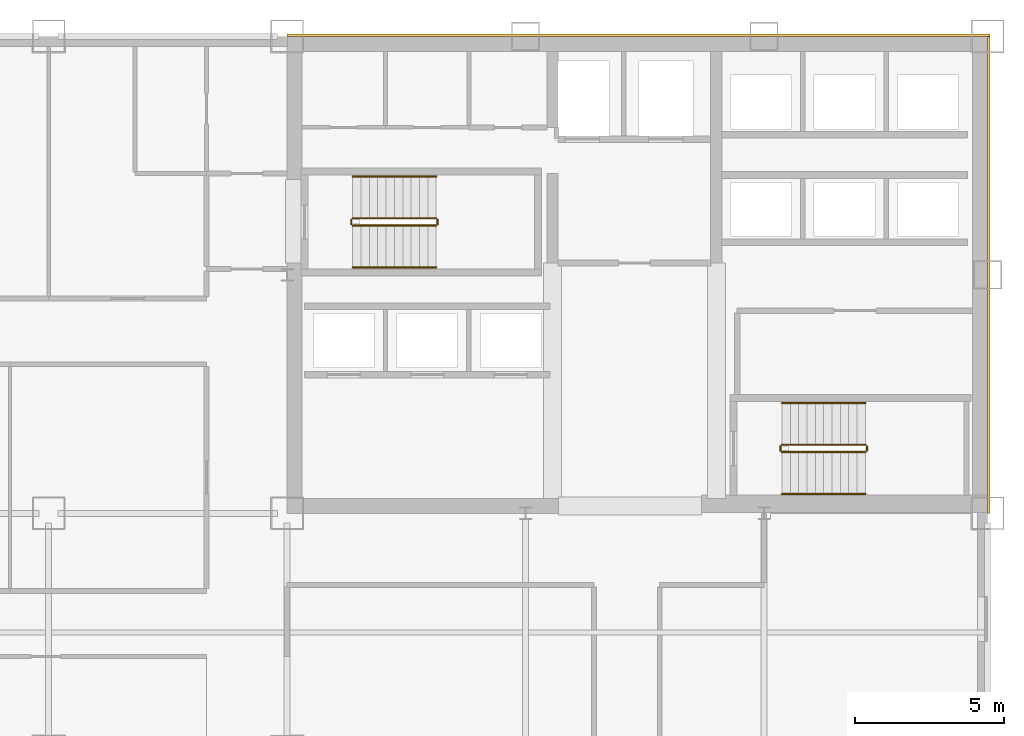
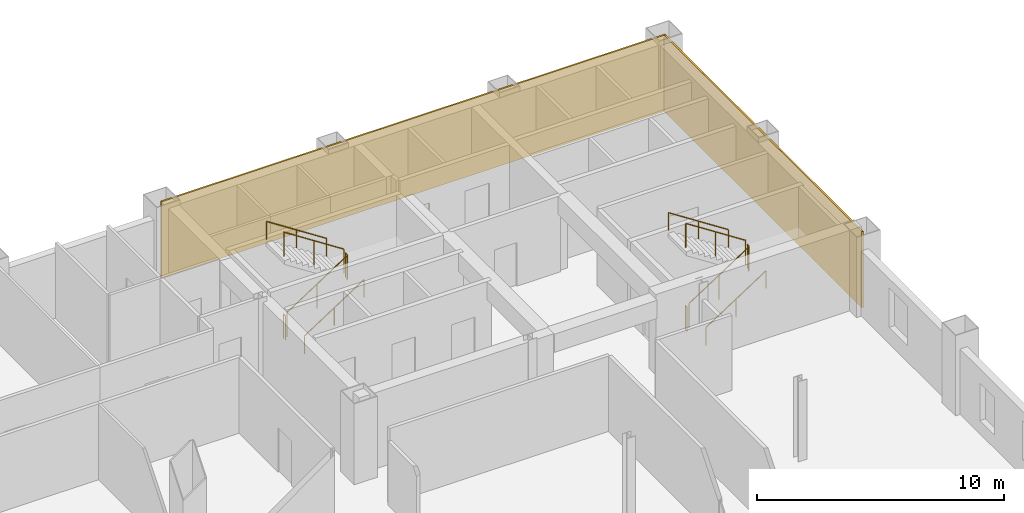
# One storey, part 10 of 10: 12 railings, 2 coverings.
"""IFC4 building model written with IfcOpenShell, lengths in metres."""

from ifc_helpers import new_model, si_unit, direction, frame, origin, origin_2d, place, context, subcontext, project, spatial, rectangle, circle, extrude, material, layer, layer_set, type_object, element, save


model = new_model("IFC4")

# Units and contexts
model_context = context("Model", 3, precision=1e-05, world=origin(), true_north=direction((0.0, 1.0)))
body_context = subcontext(model_context, "Body", "Model", "MODEL_VIEW")
ifc_project = project(units=[si_unit("LENGTHUNIT", "METRE"), si_unit("AREAUNIT", "SQUARE_METRE"), si_unit("VOLUMEUNIT", "CUBIC_METRE"), si_unit("PLANEANGLEUNIT", "RADIAN"), si_unit("MASSUNIT", "GRAM", prefix="KILO")], contexts=[model_context])

# Site, building, storey
site_placement = place(None, origin())
site = spatial("IfcSite", under=ifc_project, at=site_placement, CompositionType="ELEMENT")
building_placement = place(site_placement, origin())
building = spatial("IfcBuilding", under=site, at=building_placement, Name="Qianrong Seaharbour Tower", CompositionType="ELEMENT")
storey_placement = place(building_placement, frame((0.0, 0.0, 139.0)))
storey = spatial("IfcBuildingStorey", under=building, at=storey_placement, Name="L33", CompositionType="ELEMENT", Elevation=139.0)

# Coverings
ifc_material_1 = material(Name="Unitised red brick cladding on Precast concrete C45/55", Category="masonry")
ifc_layer = layer(ifc_material_1, 0.080078125)
ifc_layer_set = layer_set([ifc_layer], Name="Unitised red brick cladding on Precast concrete C45/55")
covering_type = type_object("IfcCoveringType", Name="COV-CLAD-RED-BRICK-80", PredefinedType="CLADDING", material=ifc_layer_set)
covering_1_placement = place(storey_placement, frame((52.2900390625, 52.0400390625, 0.0), z_axis=(0.0, 0.0, 1.0), x_axis=(1.0, 0.0, 0.0)))
element("IfcCovering", 1, at=covering_1_placement, inside=storey, type_object=covering_type, Name="L33 North Core Brick Veneer Cladding", PredefinedType="CLADDING", context=body_context, shape_type="SweptSolid", body=[
    extrude(rectangle(XDim=23.580078125, YDim=0.080078125, at=origin_2d()), origin(), (0.0, 0.0, 1.0), 3.764892578125),
])
covering_2_placement = place(storey_placement, frame((64.0400390625, 44.0, 0.0), z_axis=(0.0, 0.0, 1.0), x_axis=(1.0, 0.0, 0.0)))
element("IfcCovering", 2, at=covering_2_placement, inside=storey, type_object=covering_type, Name="L33 East Core Brick Veneer Cladding", PredefinedType="CLADDING", context=body_context, shape_type="SweptSolid", body=[
    extrude(rectangle(XDim=0.080078125, YDim=16.0, at=origin_2d()), origin(), (0.0, 0.0, 1.0), 3.764892578125),
])

# Railings
ifc_material_2 = material(Name="Galvanized painted steel SN400B stair guard", Category="steel")
railing_type_1 = type_object("IfcRailingType", Name="RAIL-STAIR-GUARD-1220", PredefinedType="GUARDRAIL", material=ifc_material_2)
railing_1_placement = place(storey_placement, frame((42.699951171875, 45.64990234375, 0.181884765625)))
element("IfcRailing", 3, at=railing_1_placement, inside=storey, type_object=railing_type_1, Name="L33 ST-1 stair guard 1", PredefinedType="GUARDRAIL", context=body_context, shape_type="SweptSolid", body=[
    extrude(circle(Radius=0.02392578125, at=origin_2d()), frame((0.0, 0.0, 1.19580078125), z_axis=(0.838705829183, 0.0, 0.544584733623), x_axis=(0.0, 1.0, 0.0)), (0.0, 0.0, 1.0), 3.338623046875),
    extrude(circle(Radius=0.02099609375, at=origin_2d()), origin(), (0.0, 0.0, 1.0), 1.171875),
    extrude(circle(Radius=0.02099609375, at=origin_2d()), frame((1.39990234375, 0.0, 0.9091796875)), (0.0, 0.0, 1.0), 1.171875),
    extrude(circle(Radius=0.02099609375, at=origin_2d()), frame((2.800048828125, 0.0, 1.818115234375)), (0.0, 0.0, 1.0), 1.171875),
])
railing_2_placement = place(storey_placement, frame((45.550048828125, 45.699951171875, 2.0)))
element("IfcRailing", 4, at=railing_2_placement, inside=storey, type_object=railing_type_1, Name="L33 ST-1 stair guard 2", PredefinedType="GUARDRAIL", context=body_context, shape_type="SweptSolid", body=[
    extrude(circle(Radius=0.02392578125, at=origin_2d()), frame((0.0, 0.0, 1.19580078125), z_axis=(0.0, 1.0, 0.0), x_axis=(-1.0, 0.0, 0.0)), (0.0, 0.0, 1.0), 0.150146484375),
    extrude(circle(Radius=0.02099609375, at=origin_2d()), origin(), (0.0, 0.0, 1.0), 1.171875),
    extrude(circle(Radius=0.02099609375, at=origin_2d()), frame((0.0, 0.150146484375, 0.0)), (0.0, 0.0, 1.0), 1.171875),
])
railing_3_placement = place(storey_placement, frame((45.5, 45.89990234375, 2.181884765625)))
element("IfcRailing", 5, at=railing_3_placement, inside=storey, type_object=railing_type_1, Name="L33 ST-1 stair guard 3", PredefinedType="GUARDRAIL", context=body_context, shape_type="SweptSolid", body=[
    extrude(circle(Radius=0.02392578125, at=origin_2d()), frame((0.0, 0.0, 1.19580078125), z_axis=(-0.838705829183, 0.0, 0.544584733623), x_axis=(0.0, -1.0, 0.0)), (0.0, 0.0, 1.0), 3.338623046875),
    extrude(circle(Radius=0.02099609375, at=origin_2d()), origin(), (0.0, 0.0, 1.0), 1.171875),
    extrude(circle(Radius=0.02099609375, at=origin_2d()), frame((-1.39990234375, 0.0, 0.9091796875)), (0.0, 0.0, 1.0), 1.171875),
    extrude(circle(Radius=0.02099609375, at=origin_2d()), frame((-2.800048828125, 0.0, 1.818115234375)), (0.0, 0.0, 1.0), 1.171875),
])
railing_4_placement = place(storey_placement, frame((42.64990234375, 45.699951171875, 0.0)))
element("IfcRailing", 6, at=railing_4_placement, inside=storey, type_object=railing_type_1, Name="L33 ST-1 stair guard 4", PredefinedType="GUARDRAIL", context=body_context, shape_type="SweptSolid", body=[
    extrude(circle(Radius=0.02392578125, at=origin_2d()), frame((0.0, 0.0, 1.19580078125), z_axis=(0.0, 1.0, 0.0), x_axis=(-1.0, 0.0, 0.0)), (0.0, 0.0, 1.0), 0.150146484375),
    extrude(circle(Radius=0.02099609375, at=origin_2d()), origin(), (0.0, 0.0, 1.0), 1.171875),
    extrude(circle(Radius=0.02099609375, at=origin_2d()), frame((0.0, 0.150146484375, 0.0)), (0.0, 0.0, 1.0), 1.171875),
])
railing_5_placement = place(storey_placement, frame((57.10009765625, 38.050048828125, 0.181884765625)))
element("IfcRailing", 7, at=railing_5_placement, inside=storey, type_object=railing_type_1, Name="L33 ST-2 stair guard 1", PredefinedType="GUARDRAIL", context=body_context, shape_type="SweptSolid", body=[
    extrude(circle(Radius=0.02392578125, at=origin_2d()), frame((0.0, 0.0, 1.19580078125), z_axis=(0.83868413941, 0.0, 0.544618136222), x_axis=(0.0, 1.0, 0.0)), (0.0, 0.0, 1.0), 3.33837890625),
    extrude(circle(Radius=0.02099609375, at=origin_2d()), origin(), (0.0, 0.0, 1.0), 1.171875),
    extrude(circle(Radius=0.02099609375, at=origin_2d()), frame((1.39990234375, 0.0, 0.9091796875)), (0.0, 0.0, 1.0), 1.171875),
    extrude(circle(Radius=0.02099609375, at=origin_2d()), frame((2.7998046875, 0.0, 1.818115234375)), (0.0, 0.0, 1.0), 1.171875),
])
railing_6_placement = place(storey_placement, frame((59.949951171875, 38.10009765625, 2.0)))
element("IfcRailing", 8, at=railing_6_placement, inside=storey, type_object=railing_type_1, Name="L33 ST-2 stair guard 2", PredefinedType="GUARDRAIL", context=body_context, shape_type="SweptSolid", body=[
    extrude(circle(Radius=0.02392578125, at=origin_2d()), frame((0.0, 0.0, 1.19580078125), z_axis=(0.0, 1.0, 0.0), x_axis=(-1.0, 0.0, 0.0)), (0.0, 0.0, 1.0), 0.14990234375),
    extrude(circle(Radius=0.02099609375, at=origin_2d()), origin(), (0.0, 0.0, 1.0), 1.171875),
    extrude(circle(Radius=0.02099609375, at=origin_2d()), frame((0.0, 0.14990234375, 0.0)), (0.0, 0.0, 1.0), 1.171875),
])
railing_7_placement = place(storey_placement, frame((59.89990234375, 38.300048828125, 2.181884765625)))
element("IfcRailing", 9, at=railing_7_placement, inside=storey, type_object=railing_type_1, Name="L33 ST-2 stair guard 3", PredefinedType="GUARDRAIL", context=body_context, shape_type="SweptSolid", body=[
    extrude(circle(Radius=0.02392578125, at=origin_2d()), frame((0.0, 0.0, 1.19580078125), z_axis=(-0.83868413941, 0.0, 0.544618136222), x_axis=(0.0, -1.0, 0.0)), (0.0, 0.0, 1.0), 3.33837890625),
    extrude(circle(Radius=0.02099609375, at=origin_2d()), origin(), (0.0, 0.0, 1.0), 1.171875),
    extrude(circle(Radius=0.02099609375, at=origin_2d()), frame((-1.39990234375, 0.0, 0.9091796875)), (0.0, 0.0, 1.0), 1.171875),
    extrude(circle(Radius=0.02099609375, at=origin_2d()), frame((-2.7998046875, 0.0, 1.818115234375)), (0.0, 0.0, 1.0), 1.171875),
])
railing_8_placement = place(storey_placement, frame((57.050048828125, 38.10009765625, 0.0)))
element("IfcRailing", 10, at=railing_8_placement, inside=storey, type_object=railing_type_1, Name="L33 ST-2 stair guard 4", PredefinedType="GUARDRAIL", context=body_context, shape_type="SweptSolid", body=[
    extrude(circle(Radius=0.02392578125, at=origin_2d()), frame((0.0, 0.0, 1.19580078125), z_axis=(0.0, 1.0, 0.0), x_axis=(-1.0, 0.0, 0.0)), (0.0, 0.0, 1.0), 0.14990234375),
    extrude(circle(Radius=0.02099609375, at=origin_2d()), origin(), (0.0, 0.0, 1.0), 1.171875),
    extrude(circle(Radius=0.02099609375, at=origin_2d()), frame((0.0, 0.14990234375, 0.0)), (0.0, 0.0, 1.0), 1.171875),
])
ifc_material_3 = material(Name="Stainless steel SUS316L continuous handrail", Category="steel")
railing_type_2 = type_object("IfcRailingType", Name="RAIL-STAIR-HANDRAIL-900", PredefinedType="HANDRAIL", material=ifc_material_3)
railing_9_placement = place(storey_placement, frame((42.699951171875, 44.25, 0.181884765625)))
element("IfcRailing", 11, at=railing_9_placement, inside=storey, type_object=railing_type_2, Name="L33 ST-1 stair handrail 1", PredefinedType="HANDRAIL", context=body_context, shape_type="SweptSolid", body=[
    extrude(circle(Radius=0.02392578125, at=origin_2d()), frame((0.0, 0.0, 0.8759765625), z_axis=(0.838705829183, 0.0, 0.544584733623), x_axis=(0.0, 1.0, 0.0)), (0.0, 0.0, 1.0), 3.338623046875),
    extrude(circle(Radius=0.02099609375, at=origin_2d()), origin(), (0.0, 0.0, 1.0), 0.851806640625),
    extrude(circle(Radius=0.02099609375, at=origin_2d()), frame((1.39990234375, 0.0, 0.9091796875)), (0.0, 0.0, 1.0), 0.851806640625),
    extrude(circle(Radius=0.02099609375, at=origin_2d()), frame((2.800048828125, 0.0, 1.818115234375)), (0.0, 0.0, 1.0), 0.851806640625),
])
railing_10_placement = place(storey_placement, frame((45.5, 47.300048828125, 2.181884765625)))
element("IfcRailing", 12, at=railing_10_placement, inside=storey, type_object=railing_type_2, Name="L33 ST-1 stair handrail 2", PredefinedType="HANDRAIL", context=body_context, shape_type="SweptSolid", body=[
    extrude(circle(Radius=0.02392578125, at=origin_2d()), frame((0.0, 0.0, 0.8759765625), z_axis=(-0.838705829183, 0.0, 0.544584733623), x_axis=(0.0, -1.0, 0.0)), (0.0, 0.0, 1.0), 3.338623046875),
    extrude(circle(Radius=0.02099609375, at=origin_2d()), origin(), (0.0, 0.0, 1.0), 0.851806640625),
    extrude(circle(Radius=0.02099609375, at=origin_2d()), frame((-1.39990234375, 0.0, 0.9091796875)), (0.0, 0.0, 1.0), 0.851806640625),
    extrude(circle(Radius=0.02099609375, at=origin_2d()), frame((-2.800048828125, 0.0, 1.818115234375)), (0.0, 0.0, 1.0), 0.851806640625),
])
railing_11_placement = place(storey_placement, frame((57.10009765625, 36.64990234375, 0.181884765625)))
element("IfcRailing", 13, at=railing_11_placement, inside=storey, type_object=railing_type_2, Name="L33 ST-2 stair handrail 1", PredefinedType="HANDRAIL", context=body_context, shape_type="SweptSolid", body=[
    extrude(circle(Radius=0.02392578125, at=origin_2d()), frame((0.0, 0.0, 0.8759765625), z_axis=(0.83868413941, 0.0, 0.544618136222), x_axis=(0.0, 1.0, 0.0)), (0.0, 0.0, 1.0), 3.33837890625),
    extrude(circle(Radius=0.02099609375, at=origin_2d()), origin(), (0.0, 0.0, 1.0), 0.851806640625),
    extrude(circle(Radius=0.02099609375, at=origin_2d()), frame((1.39990234375, 0.0, 0.9091796875)), (0.0, 0.0, 1.0), 0.851806640625),
    extrude(circle(Radius=0.02099609375, at=origin_2d()), frame((2.7998046875, 0.0, 1.818115234375)), (0.0, 0.0, 1.0), 0.851806640625),
])
railing_12_placement = place(storey_placement, frame((59.89990234375, 39.699951171875, 2.181884765625)))
element("IfcRailing", 14, at=railing_12_placement, inside=storey, type_object=railing_type_2, Name="L33 ST-2 stair handrail 2", PredefinedType="HANDRAIL", context=body_context, shape_type="SweptSolid", body=[
    extrude(circle(Radius=0.02392578125, at=origin_2d()), frame((0.0, 0.0, 0.8759765625), z_axis=(-0.83868413941, 0.0, 0.544618136222), x_axis=(0.0, -1.0, 0.0)), (0.0, 0.0, 1.0), 3.33837890625),
    extrude(circle(Radius=0.02099609375, at=origin_2d()), origin(), (0.0, 0.0, 1.0), 0.851806640625),
    extrude(circle(Radius=0.02099609375, at=origin_2d()), frame((-1.39990234375, 0.0, 0.9091796875)), (0.0, 0.0, 1.0), 0.851806640625),
    extrude(circle(Radius=0.02099609375, at=origin_2d()), frame((-2.7998046875, 0.0, 1.818115234375)), (0.0, 0.0, 1.0), 0.851806640625),
])

save(model, "model.ifc")
